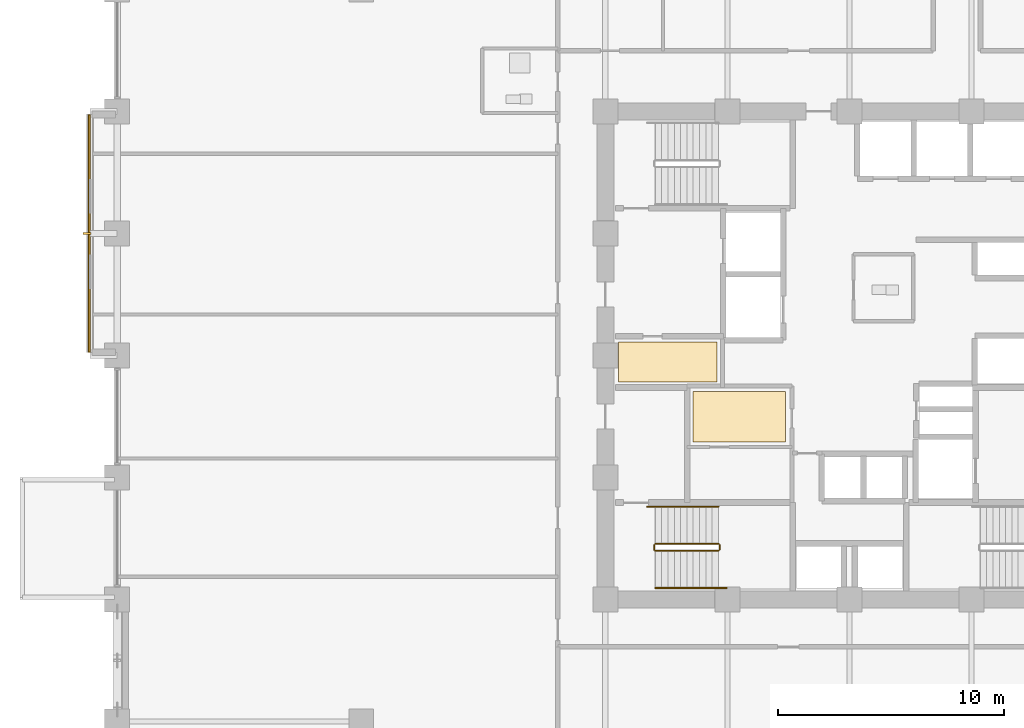
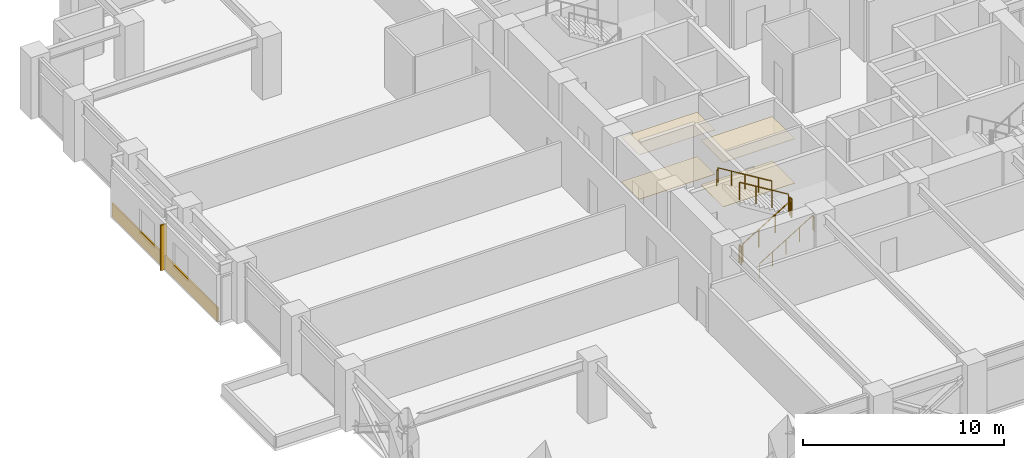
# One storey, part 23 of 25: 6 railings, 5 coverings, 1 shading device.
"""IFC4 building model written with IfcOpenShell, lengths in metres."""

from ifc_helpers import new_model, si_unit, direction, frame, origin, origin_2d, place, context, subcontext, project, spatial, polyline, rectangle, circle, outline, extrude, material, layer, layer_set, type_object, element, save


model = new_model("IFC4")

# Units and contexts
model_context = context("Model", 3, precision=1e-05, world=origin(), true_north=direction((0.0, 1.0)))
body_context = subcontext(model_context, "Body", "Model", "MODEL_VIEW")
ifc_project = project(units=[si_unit("LENGTHUNIT", "METRE"), si_unit("AREAUNIT", "SQUARE_METRE"), si_unit("VOLUMEUNIT", "CUBIC_METRE"), si_unit("PLANEANGLEUNIT", "RADIAN"), si_unit("MASSUNIT", "GRAM", prefix="KILO")], contexts=[model_context])

# Site, building, storey
site_placement = place(None, origin())
site = spatial("IfcSite", under=ifc_project, at=site_placement, CompositionType="ELEMENT")
building_placement = place(site_placement, origin())
building = spatial("IfcBuilding", under=site, at=building_placement, Name="Surkhivell Harbour Commons", CompositionType="ELEMENT")
storey_placement = place(building_placement, frame((0.0, 0.0, 94.5)))
storey = spatial("IfcBuildingStorey", under=building, at=storey_placement, Name="L24", CompositionType="ELEMENT", Elevation=94.5)

# Coverings
ifc_material_1 = material(Name="Perforated acoustic mineral-fibre ceiling tile", Category="other")
ifc_layer_1 = layer(ifc_material_1, 0.02490234375)
ifc_layer_set_1 = layer_set([ifc_layer_1], Name="Perforated acoustic mineral-fibre ceiling tile")
covering_type_1 = type_object("IfcCoveringType", Name="COV-CEIL-AC", PredefinedType="CEILING", material=ifc_layer_set_1)
covering_1_placement = place(storey_placement, frame((0.0, 0.0, 2.694091796875)))
element("IfcCovering", 1, at=covering_1_placement, inside=storey, type_object=covering_type_1, Name="L24 Suspended Acoustic Ceiling 1", PredefinedType="CEILING", context=body_context, shape_type="SweptSolid", body=[
    extrude(outline(polyline([(-10.219970703125, -1.179931640625), (-5.8701171875, -1.179931640625), (-5.8701171875, 0.60009765625), (-10.219970703125, 0.60009765625), (-10.219970703125, 0.580078125), (-10.219970703125, -0.580078125), (-10.219970703125, -1.179931640625)])), origin(), (0.0, 0.0, 1.0), 0.02490234375),
])
ifc_material_2 = material(Name="Moisture-resistant gypsum acoustic ceiling board", Category="other")
ifc_layer_2 = layer(ifc_material_2, 0.030029296875)
ifc_layer_set_2 = layer_set([ifc_layer_2], Name="Moisture-resistant gypsum acoustic ceiling board")
covering_type_2 = type_object("IfcCoveringType", Name="COV-CEIL-GYP", PredefinedType="CEILING", material=ifc_layer_set_2)
covering_2_placement = place(storey_placement, frame((0.0, 0.0, 2.68896484375)))
element("IfcCovering", 2, at=covering_2_placement, inside=storey, type_object=covering_type_2, Name="L24 Suspended Acoustic Ceiling 2", PredefinedType="CEILING", context=body_context, shape_type="SweptSolid", body=[
    extrude(outline(polyline([(-6.929931640625, -3.830078125), (-2.820068359375, -3.830078125), (-2.820068359375, -1.60009765625), (-6.929931640625, -1.60009765625), (-6.929931640625, -3.830078125)])), origin(), (0.0, 0.0, 1.0), 0.030029296875),
])
ifc_material_3 = material(Name="Emerald-teal enamelled aluminium cassette panel", Category="aluminium")
ifc_layer_3 = layer(ifc_material_3, 0.068115234375)
ifc_layer_set_3 = layer_set([ifc_layer_3], Name="Emerald-teal enamelled aluminium cassette panel")
covering_type_3 = type_object("IfcCoveringType", Name="COV-CLAD-EME", PredefinedType="CLADDING", material=ifc_layer_set_3)
covering_3_placement = place(storey_placement, frame((-33.639892578125, 5.39990234375, 0.0), z_axis=(0.0, 0.0, 1.0), x_axis=(1.0, 0.0, 0.0)))
element("IfcCovering", 3, at=covering_3_placement, inside=storey, type_object=covering_type_3, Name="L24 Coloured-Panel Box Spandrel Cassette 02", PredefinedType="CLADDING", context=body_context, shape_type="SweptSolid", body=[
    extrude(rectangle(XDim=0.080078125, YDim=10.5, at=origin_2d()), origin(), (0.0, 0.0, 1.0), 0.840087890625),
])
ifc_material_4 = material(Name="Engineered acoustic oak timber flooring", Category="wood")
ifc_layer_4 = layer(ifc_material_4, 0.02001953125)
ifc_layer_set_4 = layer_set([ifc_layer_4], Name="Engineered acoustic oak timber flooring")
covering_type_4 = type_object("IfcCoveringType", Name="COV-FLR-TIM", PredefinedType="FLOORING", material=ifc_layer_set_4)
covering_4_placement = place(storey_placement, origin())
element("IfcCovering", 4, at=covering_4_placement, inside=storey, type_object=covering_type_4, Name="L24 Interior Floor Finish 1", PredefinedType="FLOORING", context=body_context, shape_type="SweptSolid", body=[
    extrude(outline(polyline([(-10.219970703125, -1.179931640625), (-5.8701171875, -1.179931640625), (-5.8701171875, 0.60009765625), (-10.219970703125, 0.60009765625), (-10.219970703125, 0.580078125), (-10.219970703125, -0.580078125), (-10.219970703125, -1.179931640625)])), origin(), (0.0, 0.0, 1.0), 0.02001953125),
])
covering_5_placement = place(storey_placement, origin())
element("IfcCovering", 5, at=covering_5_placement, inside=storey, type_object=covering_type_4, Name="L24 Interior Floor Finish 2", PredefinedType="FLOORING", context=body_context, shape_type="SweptSolid", body=[
    extrude(outline(polyline([(-6.929931640625, -3.830078125), (-2.820068359375, -3.830078125), (-2.820068359375, -1.60009765625), (-6.929931640625, -1.60009765625), (-6.929931640625, -3.830078125)])), origin(), (0.0, 0.0, 1.0), 0.02001953125),
])

# Railings
ifc_material_5 = material(Name="Galvanised and painted steel S355 guard rail", Category="steel")
railing_type_1 = type_object("IfcRailingType", Name="RAL-ST-GRD1100", PredefinedType="GUARDRAIL", material=ifc_material_5)
railing_1_placement = place(storey_placement, frame((-8.590087890625, -8.639892578125, 0.17041015625)))
element("IfcRailing", 6, at=railing_1_placement, inside=storey, type_object=railing_type_1, Name="L24 ST3 stair guard 1", PredefinedType="GUARDRAIL", context=body_context, shape_type="SweptSolid", body=[
    extrude(circle(Radius=0.02392578125, at=origin_2d()), frame((0.0, 0.0, 1.076171875), z_axis=(0.854169791009, 0.0, 0.51999420009), x_axis=(0.0, 1.0, 0.0)), (0.0, 0.0, 1.0), 3.278076171875),
    extrude(circle(Radius=0.02099609375, at=origin_2d()), origin(), (0.0, 0.0, 1.0), 1.052001953125),
    extrude(circle(Radius=0.02099609375, at=origin_2d()), frame((0.933349609375, 0.0, 0.568115234375)), (0.0, 0.0, 1.0), 1.052001953125),
    extrude(circle(Radius=0.02099609375, at=origin_2d()), frame((1.86669921875, 0.0, 1.136474609375)), (0.0, 0.0, 1.0), 1.052001953125),
    extrude(circle(Radius=0.02099609375, at=origin_2d()), frame((2.800048828125, 0.0, 1.70458984375)), (0.0, 0.0, 1.0), 1.052001953125),
])
railing_2_placement = place(storey_placement, frame((-5.739990234375, -8.590087890625, 1.875)))
element("IfcRailing", 7, at=railing_2_placement, inside=storey, type_object=railing_type_1, Name="L24 ST3 stair guard 2", PredefinedType="GUARDRAIL", context=body_context, shape_type="SweptSolid", body=[
    extrude(circle(Radius=0.02392578125, at=origin_2d()), frame((0.0, 0.0, 1.076171875), z_axis=(0.0, 1.0, 0.0), x_axis=(-1.0, 0.0, 0.0)), (0.0, 0.0, 1.0), 0.2001953125),
    extrude(circle(Radius=0.02099609375, at=origin_2d()), origin(), (0.0, 0.0, 1.0), 1.052001953125),
    extrude(circle(Radius=0.02099609375, at=origin_2d()), frame((0.0, 0.2001953125, 0.0)), (0.0, 0.0, 1.0), 1.052001953125),
])
railing_3_placement = place(storey_placement, frame((-5.7900390625, -8.340087890625, 2.04541015625)))
element("IfcRailing", 8, at=railing_3_placement, inside=storey, type_object=railing_type_1, Name="L24 ST3 stair guard 3", PredefinedType="GUARDRAIL", context=body_context, shape_type="SweptSolid", body=[
    extrude(circle(Radius=0.02392578125, at=origin_2d()), frame((0.0, 0.0, 1.076171875), z_axis=(-0.854169791009, 0.0, 0.51999420009), x_axis=(0.0, -1.0, 0.0)), (0.0, 0.0, 1.0), 3.278076171875),
    extrude(circle(Radius=0.02099609375, at=origin_2d()), origin(), (0.0, 0.0, 1.0), 1.052001953125),
    extrude(circle(Radius=0.02099609375, at=origin_2d()), frame((-0.933349609375, 0.0, 0.568115234375)), (0.0, 0.0, 1.0), 1.052001953125),
    extrude(circle(Radius=0.02099609375, at=origin_2d()), frame((-1.86669921875, 0.0, 1.136474609375)), (0.0, 0.0, 1.0), 1.052001953125),
    extrude(circle(Radius=0.02099609375, at=origin_2d()), frame((-2.800048828125, 0.0, 1.70458984375)), (0.0, 0.0, 1.0), 1.052001953125),
])
railing_4_placement = place(storey_placement, frame((-8.639892578125, -8.590087890625, 0.0)))
element("IfcRailing", 9, at=railing_4_placement, inside=storey, type_object=railing_type_1, Name="L24 ST3 stair guard 4", PredefinedType="GUARDRAIL", context=body_context, shape_type="SweptSolid", body=[
    extrude(circle(Radius=0.02392578125, at=origin_2d()), frame((0.0, 0.0, 1.076171875), z_axis=(0.0, 1.0, 0.0), x_axis=(-1.0, 0.0, 0.0)), (0.0, 0.0, 1.0), 0.2001953125),
    extrude(circle(Radius=0.02099609375, at=origin_2d()), origin(), (0.0, 0.0, 1.0), 1.052001953125),
    extrude(circle(Radius=0.02099609375, at=origin_2d()), frame((0.0, 0.2001953125, 0.0)), (0.0, 0.0, 1.0), 1.052001953125),
])
ifc_material_6 = material(Name="Brushed stainless steel S355 handrail", Category="steel")
railing_type_2 = type_object("IfcRailingType", Name="RAL-ST-HND900", PredefinedType="HANDRAIL", material=ifc_material_6)
railing_5_placement = place(storey_placement, frame((-8.590087890625, -10.2900390625, 0.17041015625)))
element("IfcRailing", 10, at=railing_5_placement, inside=storey, type_object=railing_type_2, Name="L24 ST3 stair handrail 1", PredefinedType="HANDRAIL", context=body_context, shape_type="SweptSolid", body=[
    extrude(circle(Radius=0.02392578125, at=origin_2d()), frame((0.0, 0.0, 0.8759765625), z_axis=(0.854177636135, 0.0, 0.519981313056), x_axis=(0.0, 1.0, 0.0)), (0.0, 0.0, 1.0), 3.60595703125),
    extrude(circle(Radius=0.02392578125, at=origin_2d()), frame((3.080078125, 0.0, 2.7509765625), z_axis=(0.425297416671, 0.0, -0.905053648892), x_axis=(0.0, 1.0, 0.0)), (0.0, 0.0, 1.0), 0.188232421875),
    extrude(circle(Radius=0.02099609375, at=origin_2d()), origin(), (0.0, 0.0, 1.0), 0.851806640625),
    extrude(circle(Radius=0.02099609375, at=origin_2d()), frame((0.77001953125, 0.0, 0.46875)), (0.0, 0.0, 1.0), 0.851806640625),
    extrude(circle(Radius=0.02099609375, at=origin_2d()), frame((1.5400390625, 0.0, 0.9375)), (0.0, 0.0, 1.0), 0.851806640625),
    extrude(circle(Radius=0.02099609375, at=origin_2d()), frame((2.31005859375, 0.0, 1.40625)), (0.0, 0.0, 1.0), 0.851806640625),
    extrude(circle(Radius=0.02099609375, at=origin_2d()), frame((3.080078125, 0.0, 1.875)), (0.0, 0.0, 1.0), 0.851806640625),
    extrude(circle(Radius=0.02099609375, at=origin_2d()), frame((3.16015625, 0.0, 1.70458984375)), (0.0, 0.0, 1.0), 0.851806640625),
])
railing_6_placement = place(storey_placement, frame((-5.7900390625, -6.68994140625, 2.04541015625)))
element("IfcRailing", 11, at=railing_6_placement, inside=storey, type_object=railing_type_2, Name="L24 ST3 stair handrail 2", PredefinedType="HANDRAIL", context=body_context, shape_type="SweptSolid", body=[
    extrude(circle(Radius=0.02392578125, at=origin_2d()), frame((0.0, 0.0, 0.8759765625), z_axis=(-0.854177636135, 0.0, 0.519981313056), x_axis=(0.0, -1.0, 0.0)), (0.0, 0.0, 1.0), 3.60595703125),
    extrude(circle(Radius=0.02392578125, at=origin_2d()), frame((-3.080078125, 0.0, 2.7509765625), z_axis=(-0.424234432967, 0.0, -0.905552398199), x_axis=(0.0, -1.0, 0.0)), (0.0, 0.0, 1.0), 0.188232421875),
    extrude(circle(Radius=0.02099609375, at=origin_2d()), origin(), (0.0, 0.0, 1.0), 0.851806640625),
    extrude(circle(Radius=0.02099609375, at=origin_2d()), frame((-0.77001953125, 0.0, 0.46875)), (0.0, 0.0, 1.0), 0.851806640625),
    extrude(circle(Radius=0.02099609375, at=origin_2d()), frame((-1.5400390625, 0.0, 0.9375)), (0.0, 0.0, 1.0), 0.851806640625),
    extrude(circle(Radius=0.02099609375, at=origin_2d()), frame((-2.31005859375, 0.0, 1.40625)), (0.0, 0.0, 1.0), 0.851806640625),
    extrude(circle(Radius=0.02099609375, at=origin_2d()), frame((-3.080078125, 0.0, 1.875)), (0.0, 0.0, 1.0), 0.851806640625),
    extrude(circle(Radius=0.02099609375, at=origin_2d()), frame((-3.159912109375, 0.0, 1.70458984375)), (0.0, 0.0, 1.0), 0.851806640625),
])

# Shading device
ifc_material_7 = material(Name="Anodised pale-metal aluminium solar fin", Category="aluminium")
shading_device_type = type_object("IfcShadingDeviceType", Name="SHD-FIN-VERT", PredefinedType="USERDEFINED", material=ifc_material_7)
shading_device_placement = place(storey_placement, frame((-33.739990234375, 5.39990234375, 0.0048828125), z_axis=(0.0, 0.0, 1.0), x_axis=(1.0, 0.0, 0.0)))
element("IfcShadingDevice", 12, at=shading_device_placement, inside=storey, type_object=shading_device_type, Name="L24 Coloured-Box Solar Fin 02", ObjectType="FIN", PredefinedType="USERDEFINED", context=body_context, shape_type="SweptSolid", body=[
    extrude(rectangle(XDim=0.360107421875, YDim=0.090087890625, at=origin_2d()), origin(), (0.0, 0.0, 1.0), 2.75),
])

save(model, "model.ifc")
